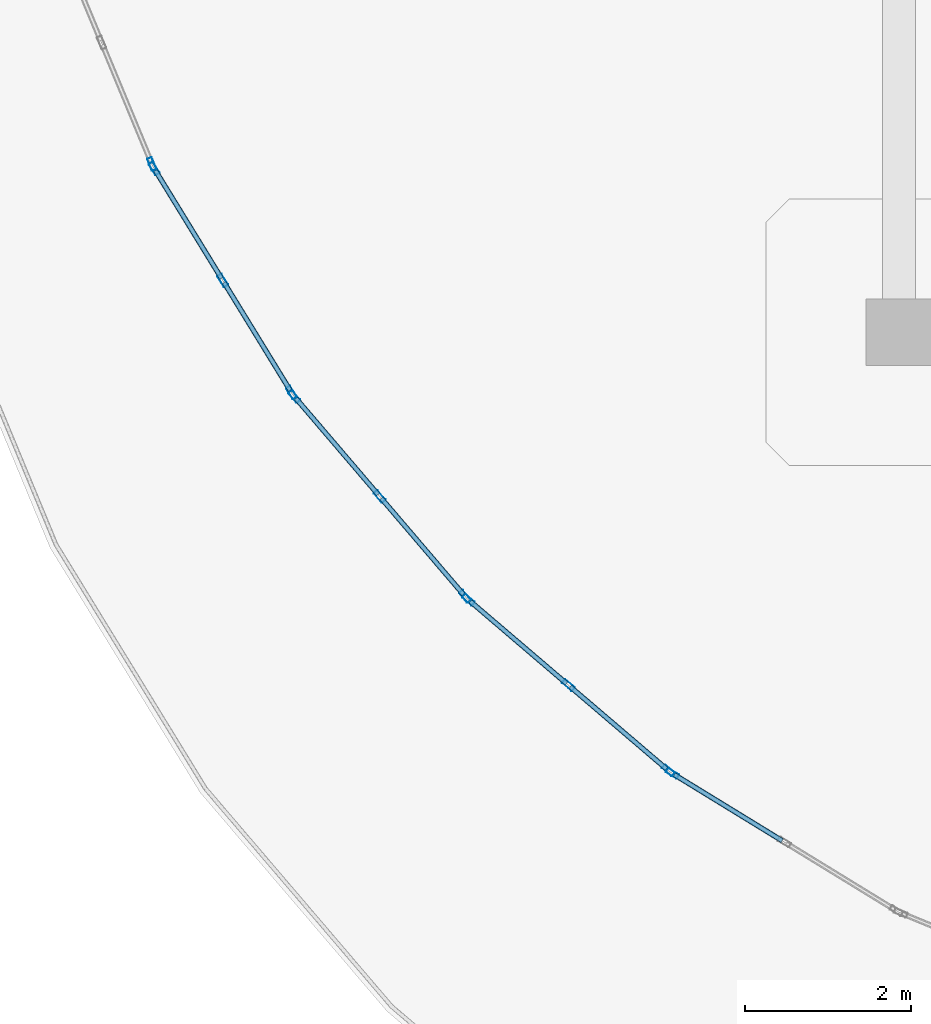
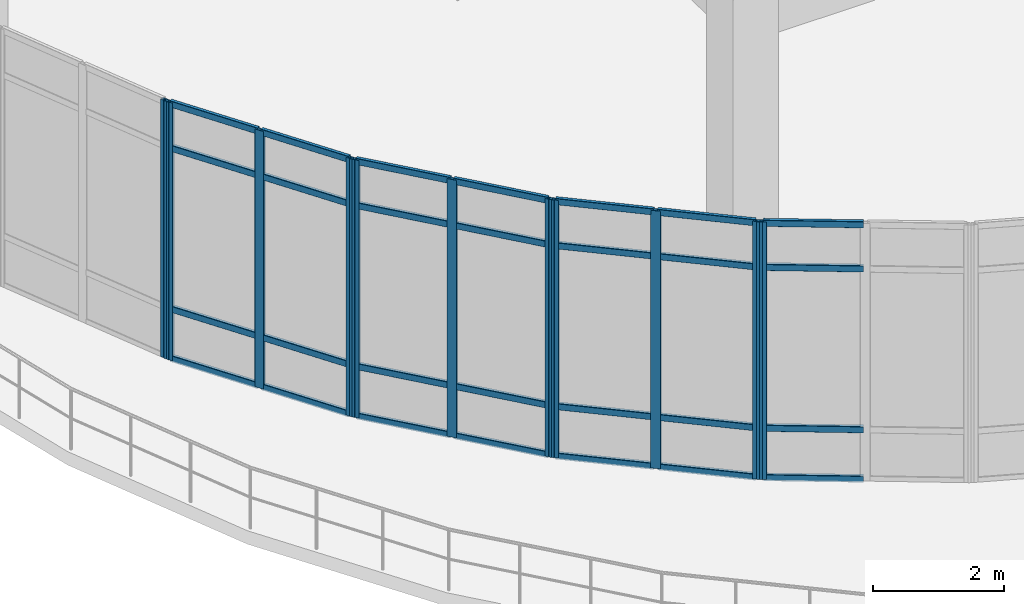
# One storey, part 6 of 96: 39 members, 5 elements without a shape of their own.
"""IFC4 building model written with IfcOpenShell, lengths in metres."""

from ifc_helpers import new_model, si_unit, derived_unit, direction, frame, origin, origin_2d, place, context, subcontext, project, spatial, hollow_rectangle, extrude, material, layer, layer_set, material_profile, profile_set, type_object, element, aggregate, save


model = new_model("IFC4")

# Units and contexts
model_context = context("Model", 3, precision=1e-05, world=origin(), true_north=direction((0.0, 1.0)))
body_context = subcontext(model_context, "Body", "Model", "MODEL_VIEW")
ifc_project = project(units=[si_unit("LENGTHUNIT", "METRE"), si_unit("AREAUNIT", "SQUARE_METRE"), si_unit("VOLUMEUNIT", "CUBIC_METRE"), si_unit("PLANEANGLEUNIT", "RADIAN"), si_unit("MASSUNIT", "GRAM", prefix="KILO"), derived_unit("THERMALTRANSMITTANCEUNIT", [(si_unit("MASSUNIT", "GRAM", prefix="KILO"), 1), (si_unit("TIMEUNIT", "SECOND"), -3), (si_unit("THERMODYNAMICTEMPERATUREUNIT", "KELVIN"), -1)])], contexts=[model_context])

# Site, building, storey
site_placement = place(None, origin())
site = spatial("IfcSite", under=ifc_project, at=site_placement, CompositionType="ELEMENT")
building_placement = place(site_placement, origin())
building = spatial("IfcBuilding", under=site, at=building_placement, Name="Qinzheling Arcade Emporium", CompositionType="ELEMENT")
storey_placement = place(building_placement, frame((0.0, 0.0, 21.60009765625)))
storey = spatial("IfcBuildingStorey", under=building, at=storey_placement, Name="L05", CompositionType="ELEMENT", Elevation=21.60009765625)

# Curtain wall, member
ifc_material_1 = material(Name="Anodised aluminium and solar-control double glazing", Category="aluminium")
ifc_layer = layer(ifc_material_1, 0.159912109375, Name="Anodised aluminium and solar-control double glazing", Category="aluminium")
ifc_layer_set = layer_set([ifc_layer], Name="Anodised aluminium and solar-control double glazing")
curtain_wall_type = type_object("IfcCurtainWallType", Name="Curved Ribbon Sales Curtain Wall", PredefinedType="NOTDEFINED", material=ifc_layer_set)
curtain_wall_1_placement = place(storey_placement, origin())
curtain_wall_1 = element("IfcCurtainWall", 1, at=curtain_wall_1_placement, inside=storey, type_object=curtain_wall_type, Name="Curtain Wall CW-L05-305", PredefinedType="NOTDEFINED")
ifc_material_2 = material(Name="Anodised aluminium 6063-T6", Category="aluminium")
ifc_material_profile_1 = material_profile(ifc_material_2, hollow_rectangle(XDim=0.06005859375, YDim=0.159912109375, WallThickness=0.00390625, InnerFilletRadius=0.00390625, OuterFilletRadius=0.008056640625, at=origin_2d()), Name="RHS 160x60x4", Category="aluminium")
ifc_profile_set_1 = profile_set([ifc_material_profile_1], Name="Anodised aluminium 6063-T6")
member_type_1 = type_object("IfcMemberType", Name="Curtain Wall Mullion RHS160x60", PredefinedType="MULLION", material=ifc_profile_set_1)
member_1_placement = place(storey_placement, frame((14.675537109375, 11.499267578125, 0.0), z_axis=(0.0, 0.0, 1.0), x_axis=(-0.522518323638, -0.852628055756, 0.0)))
member_1 = element("IfcMember", 2, at=member_1_placement, type_object=member_type_1, Name="CW02 mullion 3", PredefinedType="MULLION", context=body_context, shape_type="SweptSolid", body=[
    extrude(hollow_rectangle(XDim=0.06005859375, YDim=0.159912109375, WallThickness=0.00390625, InnerFilletRadius=0.00390625, OuterFilletRadius=0.008056640625, at=origin_2d()), origin(), (0.0, 0.0, 1.0), 4.789794921875),
])

# Curtain wall, members
curtain_wall_2_placement = place(storey_placement, origin())
curtain_wall_2 = element("IfcCurtainWall", 3, at=curtain_wall_2_placement, inside=storey, type_object=curtain_wall_type, Name="Curtain Wall CW-L05-306", PredefinedType="NOTDEFINED")
member_2_placement = place(storey_placement, frame((14.627197265625, 11.534423828125, 0.0), z_axis=(0.0, 0.0, 1.0), x_axis=(-0.64943342373, -0.760418455945, 0.0)))
member_2 = element("IfcMember", 4, at=member_2_placement, type_object=member_type_1, Name="CW02 mullion 1", PredefinedType="MULLION", context=body_context, shape_type="SweptSolid", body=[
    extrude(hollow_rectangle(XDim=0.06005859375, YDim=0.159912109375, WallThickness=0.00390625, InnerFilletRadius=0.00390625, OuterFilletRadius=0.008056640625, at=origin_2d()), origin(), (0.0, 0.0, 1.0), 4.789794921875),
])
member_3_placement = place(storey_placement, frame((13.427001953125, 12.5595703125, 0.0), z_axis=(0.0, 0.0, 1.0), x_axis=(-0.64943342373, -0.760418455945, 0.0)))
member_3 = element("IfcMember", 5, at=member_3_placement, type_object=member_type_1, Name="CW02 mullion 2", PredefinedType="MULLION", context=body_context, shape_type="SweptSolid", body=[
    extrude(hollow_rectangle(XDim=0.06005859375, YDim=0.159912109375, WallThickness=0.00390625, InnerFilletRadius=0.00390625, OuterFilletRadius=0.008056640625, at=origin_2d()), origin(), (0.0, 0.0, 1.0), 4.789794921875),
])
member_4_placement = place(storey_placement, frame((12.226806640625, 13.58447265625, 0.0), z_axis=(0.0, 0.0, 1.0), x_axis=(-0.64943342373, -0.760418455945, 0.0)))
member_4 = element("IfcMember", 6, at=member_4_placement, type_object=member_type_1, Name="CW02 mullion 3", PredefinedType="MULLION", context=body_context, shape_type="SweptSolid", body=[
    extrude(hollow_rectangle(XDim=0.06005859375, YDim=0.159912109375, WallThickness=0.00390625, InnerFilletRadius=0.00390625, OuterFilletRadius=0.008056640625, at=origin_2d()), origin(), (0.0, 0.0, 1.0), 4.789794921875),
])

curtain_wall_3_placement = place(storey_placement, origin())
curtain_wall_3 = element("IfcCurtainWall", 7, at=curtain_wall_3_placement, inside=storey, type_object=curtain_wall_type, Name="Curtain Wall CW-L05-307", PredefinedType="NOTDEFINED")
member_5_placement = place(storey_placement, frame((12.1845703125, 13.626708984375, 0.0), z_axis=(0.0, 0.0, 1.0), x_axis=(-0.760418455945, -0.64943342373, 0.0)))
member_5 = element("IfcMember", 8, at=member_5_placement, type_object=member_type_1, Name="CW02 mullion 1", PredefinedType="MULLION", context=body_context, shape_type="SweptSolid", body=[
    extrude(hollow_rectangle(XDim=0.06005859375, YDim=0.159912109375, WallThickness=0.00390625, InnerFilletRadius=0.00390625, OuterFilletRadius=0.008056640625, at=origin_2d()), origin(), (0.0, 0.0, 1.0), 4.789794921875),
])
member_6_placement = place(storey_placement, frame((11.159423828125, 14.826904296875, 0.0), z_axis=(0.0, 0.0, 1.0), x_axis=(-0.760418455945, -0.64943342373, 0.0)))
member_6 = element("IfcMember", 9, at=member_6_placement, type_object=member_type_1, Name="CW02 mullion 2", PredefinedType="MULLION", context=body_context, shape_type="SweptSolid", body=[
    extrude(hollow_rectangle(XDim=0.06005859375, YDim=0.159912109375, WallThickness=0.00390625, InnerFilletRadius=0.00390625, OuterFilletRadius=0.008056640625, at=origin_2d()), origin(), (0.0, 0.0, 1.0), 4.789794921875),
])
member_7_placement = place(storey_placement, frame((10.134521484375, 16.027099609375, 0.0), z_axis=(0.0, 0.0, 1.0), x_axis=(-0.760418455945, -0.64943342373, 0.0)))
member_7 = element("IfcMember", 10, at=member_7_placement, type_object=member_type_1, Name="CW02 mullion 3", PredefinedType="MULLION", context=body_context, shape_type="SweptSolid", body=[
    extrude(hollow_rectangle(XDim=0.06005859375, YDim=0.159912109375, WallThickness=0.00390625, InnerFilletRadius=0.00390625, OuterFilletRadius=0.008056640625, at=origin_2d()), origin(), (0.0, 0.0, 1.0), 4.789794921875),
])

curtain_wall_4_placement = place(storey_placement, origin())
curtain_wall_4 = element("IfcCurtainWall", 11, at=curtain_wall_4_placement, inside=storey, type_object=curtain_wall_type, Name="Curtain Wall CW-L05-308", PredefinedType="NOTDEFINED")
member_8_placement = place(storey_placement, frame((10.099365234375, 16.07568359375, 0.0), z_axis=(0.0, 0.0, 1.0), x_axis=(-0.852628055756, -0.522518323638, 0.0)))
member_8 = element("IfcMember", 12, at=member_8_placement, type_object=member_type_1, Name="CW02 mullion 1", PredefinedType="MULLION", context=body_context, shape_type="SweptSolid", body=[
    extrude(hollow_rectangle(XDim=0.06005859375, YDim=0.159912109375, WallThickness=0.00390625, InnerFilletRadius=0.00390625, OuterFilletRadius=0.008056640625, at=origin_2d()), origin(), (0.0, 0.0, 1.0), 4.789794921875),
])
member_9_placement = place(storey_placement, frame((9.2744140625, 17.42138671875, 0.0), z_axis=(0.0, 0.0, 1.0), x_axis=(-0.852628055756, -0.522518323638, 0.0)))
member_9 = element("IfcMember", 13, at=member_9_placement, type_object=member_type_1, Name="CW02 mullion 2", PredefinedType="MULLION", context=body_context, shape_type="SweptSolid", body=[
    extrude(hollow_rectangle(XDim=0.06005859375, YDim=0.159912109375, WallThickness=0.00390625, InnerFilletRadius=0.00390625, OuterFilletRadius=0.008056640625, at=origin_2d()), origin(), (0.0, 0.0, 1.0), 4.789794921875),
])
member_10_placement = place(storey_placement, frame((8.44970703125, 18.767333984375, 0.0), z_axis=(0.0, 0.0, 1.0), x_axis=(-0.852628055756, -0.522518323638, 0.0)))
member_10 = element("IfcMember", 14, at=member_10_placement, type_object=member_type_1, Name="CW02 mullion 3", PredefinedType="MULLION", context=body_context, shape_type="SweptSolid", body=[
    extrude(hollow_rectangle(XDim=0.06005859375, YDim=0.159912109375, WallThickness=0.00390625, InnerFilletRadius=0.00390625, OuterFilletRadius=0.008056640625, at=origin_2d()), origin(), (0.0, 0.0, 1.0), 4.789794921875),
])

# Curtain wall, member
curtain_wall_5_placement = place(storey_placement, origin())
curtain_wall_5 = element("IfcCurtainWall", 15, at=curtain_wall_5_placement, inside=storey, type_object=curtain_wall_type, Name="Curtain Wall CW-L05-309", PredefinedType="NOTDEFINED")
member_11_placement = place(storey_placement, frame((8.422607421875, 18.82080078125, 0.0), z_axis=(0.0, 0.0, 1.0), x_axis=(-0.923884226263, -0.38267210045, 0.0)))
member_11 = element("IfcMember", 16, at=member_11_placement, type_object=member_type_1, Name="CW02 mullion 1", PredefinedType="MULLION", context=body_context, shape_type="SweptSolid", body=[
    extrude(hollow_rectangle(XDim=0.06005859375, YDim=0.159912109375, WallThickness=0.00390625, InnerFilletRadius=0.00390625, OuterFilletRadius=0.008056640625, at=origin_2d()), origin(), (0.0, 0.0, 1.0), 4.789794921875),
])
aggregate(curtain_wall_5, [member_11])

# Member
ifc_material_profile_2 = material_profile(ifc_material_2, hollow_rectangle(XDim=0.06005859375, YDim=0.1201171875, WallThickness=0.00390625, InnerFilletRadius=0.00390625, OuterFilletRadius=0.008056640625, at=origin_2d()), Name="RHS 120x60x4", Category="aluminium")
ifc_profile_set_2 = profile_set([ifc_material_profile_2], Name="Anodised aluminium 6063-T6")
member_type_2 = type_object("IfcMemberType", Name="Curtain Wall Transom RHS120x60", PredefinedType="USERDEFINED", material=ifc_profile_set_2)
member_12_placement = place(storey_placement, frame((15.995849609375, 10.690185546875, 0.02978515625), z_axis=(-0.852617427318, 0.522535666374, 0.0), x_axis=(-0.522535666374, -0.852617427318, 0.0)))
member_12 = element("IfcMember", 17, at=member_12_placement, type_object=member_type_2, Name="CW02 transom 2.1", ObjectType="TRANSOM", PredefinedType="USERDEFINED", context=body_context, shape_type="SweptSolid", body=[
    extrude(hollow_rectangle(XDim=0.06005859375, YDim=0.1201171875, WallThickness=0.00390625, InnerFilletRadius=0.00390625, OuterFilletRadius=0.008056640625, at=origin_2d()), origin(), (0.0, 0.0, 1.0), 1.5185546875),
])

member_13_placement = place(storey_placement, frame((15.995849609375, 10.690185546875, 0.949951171875), z_axis=(-0.852617427318, 0.522535666374, 0.0), x_axis=(-0.522535666374, -0.852617427318, 0.0)))
member_13 = element("IfcMember", 18, at=member_13_placement, type_object=member_type_2, Name="CW02 transom 2.2", ObjectType="TRANSOM", PredefinedType="USERDEFINED", context=body_context, shape_type="SweptSolid", body=[
    extrude(hollow_rectangle(XDim=0.06005859375, YDim=0.1201171875, WallThickness=0.00390625, InnerFilletRadius=0.00390625, OuterFilletRadius=0.008056640625, at=origin_2d()), origin(), (0.0, 0.0, 1.0), 1.5185546875),
])

member_14_placement = place(storey_placement, frame((15.995849609375, 10.690185546875, 3.93994140625), z_axis=(-0.852617427318, 0.522535666374, 0.0), x_axis=(-0.522535666374, -0.852617427318, 0.0)))
member_14 = element("IfcMember", 19, at=member_14_placement, type_object=member_type_2, Name="CW02 transom 2.3", ObjectType="TRANSOM", PredefinedType="USERDEFINED", context=body_context, shape_type="SweptSolid", body=[
    extrude(hollow_rectangle(XDim=0.06005859375, YDim=0.1201171875, WallThickness=0.00390625, InnerFilletRadius=0.00390625, OuterFilletRadius=0.008056640625, at=origin_2d()), origin(), (0.0, 0.0, 1.0), 1.5185546875),
])

member_15_placement = place(storey_placement, frame((15.995849609375, 10.690185546875, 4.760009765625), z_axis=(-0.852617427318, 0.522535666374, 0.0), x_axis=(-0.522535666374, -0.852617427318, 0.0)))
member_15 = element("IfcMember", 20, at=member_15_placement, type_object=member_type_2, Name="CW02 transom 2.4", ObjectType="TRANSOM", PredefinedType="USERDEFINED", context=body_context, shape_type="SweptSolid", body=[
    extrude(hollow_rectangle(XDim=0.06005859375, YDim=0.1201171875, WallThickness=0.00390625, InnerFilletRadius=0.00390625, OuterFilletRadius=0.008056640625, at=origin_2d()), origin(), (0.0, 0.0, 1.0), 1.5185546875),
])

aggregate(curtain_wall_1, [member_1, member_12, member_13, member_14, member_15])

member_16_placement = place(storey_placement, frame((14.6044921875, 11.553955078125, 0.02978515625), z_axis=(-0.760469610899, 0.649373521865, 0.0), x_axis=(-0.649373521865, -0.760469610899, 0.0)))
member_16 = element("IfcMember", 21, at=member_16_placement, type_object=member_type_2, Name="CW02 transom 1.1", ObjectType="TRANSOM", PredefinedType="USERDEFINED", context=body_context, shape_type="SweptSolid", body=[
    extrude(hollow_rectangle(XDim=0.06005859375, YDim=0.1201171875, WallThickness=0.00390625, InnerFilletRadius=0.00390625, OuterFilletRadius=0.008056640625, at=origin_2d()), origin(), (0.0, 0.0, 1.0), 1.5185546875),
])

member_17_placement = place(storey_placement, frame((14.6044921875, 11.553955078125, 0.949951171875), z_axis=(-0.760469610899, 0.649373521865, 0.0), x_axis=(-0.649373521865, -0.760469610899, 0.0)))
member_17 = element("IfcMember", 22, at=member_17_placement, type_object=member_type_2, Name="CW02 transom 1.2", ObjectType="TRANSOM", PredefinedType="USERDEFINED", context=body_context, shape_type="SweptSolid", body=[
    extrude(hollow_rectangle(XDim=0.06005859375, YDim=0.1201171875, WallThickness=0.00390625, InnerFilletRadius=0.00390625, OuterFilletRadius=0.008056640625, at=origin_2d()), origin(), (0.0, 0.0, 1.0), 1.5185546875),
])

member_18_placement = place(storey_placement, frame((14.6044921875, 11.553955078125, 3.93994140625), z_axis=(-0.760469610899, 0.649373521865, 0.0), x_axis=(-0.649373521865, -0.760469610899, 0.0)))
member_18 = element("IfcMember", 23, at=member_18_placement, type_object=member_type_2, Name="CW02 transom 1.3", ObjectType="TRANSOM", PredefinedType="USERDEFINED", context=body_context, shape_type="SweptSolid", body=[
    extrude(hollow_rectangle(XDim=0.06005859375, YDim=0.1201171875, WallThickness=0.00390625, InnerFilletRadius=0.00390625, OuterFilletRadius=0.008056640625, at=origin_2d()), origin(), (0.0, 0.0, 1.0), 1.5185546875),
])

member_19_placement = place(storey_placement, frame((14.6044921875, 11.553955078125, 4.760009765625), z_axis=(-0.760469610899, 0.649373521865, 0.0), x_axis=(-0.649373521865, -0.760469610899, 0.0)))
member_19 = element("IfcMember", 24, at=member_19_placement, type_object=member_type_2, Name="CW02 transom 1.4", ObjectType="TRANSOM", PredefinedType="USERDEFINED", context=body_context, shape_type="SweptSolid", body=[
    extrude(hollow_rectangle(XDim=0.06005859375, YDim=0.1201171875, WallThickness=0.00390625, InnerFilletRadius=0.00390625, OuterFilletRadius=0.008056640625, at=origin_2d()), origin(), (0.0, 0.0, 1.0), 1.5185546875),
])

member_20_placement = place(storey_placement, frame((13.404296875, 12.5791015625, 0.02978515625), z_axis=(-0.760549009236, 0.649280528392, 0.0), x_axis=(-0.649280528392, -0.760549009236, 0.0)))
member_20 = element("IfcMember", 25, at=member_20_placement, type_object=member_type_2, Name="CW02 transom 2.1", ObjectType="TRANSOM", PredefinedType="USERDEFINED", context=body_context, shape_type="SweptSolid", body=[
    extrude(hollow_rectangle(XDim=0.06005859375, YDim=0.1201171875, WallThickness=0.00390625, InnerFilletRadius=0.00390625, OuterFilletRadius=0.008056640625, at=origin_2d()), origin(), (0.0, 0.0, 1.0), 1.518310546875),
])

member_21_placement = place(storey_placement, frame((13.404296875, 12.5791015625, 0.949951171875), z_axis=(-0.760549009236, 0.649280528392, 0.0), x_axis=(-0.649280528392, -0.760549009236, 0.0)))
member_21 = element("IfcMember", 26, at=member_21_placement, type_object=member_type_2, Name="CW02 transom 2.2", ObjectType="TRANSOM", PredefinedType="USERDEFINED", context=body_context, shape_type="SweptSolid", body=[
    extrude(hollow_rectangle(XDim=0.06005859375, YDim=0.1201171875, WallThickness=0.00390625, InnerFilletRadius=0.00390625, OuterFilletRadius=0.008056640625, at=origin_2d()), origin(), (0.0, 0.0, 1.0), 1.518310546875),
])

member_22_placement = place(storey_placement, frame((13.404296875, 12.5791015625, 3.93994140625), z_axis=(-0.760549009236, 0.649280528392, 0.0), x_axis=(-0.649280528392, -0.760549009236, 0.0)))
member_22 = element("IfcMember", 27, at=member_22_placement, type_object=member_type_2, Name="CW02 transom 2.3", ObjectType="TRANSOM", PredefinedType="USERDEFINED", context=body_context, shape_type="SweptSolid", body=[
    extrude(hollow_rectangle(XDim=0.06005859375, YDim=0.1201171875, WallThickness=0.00390625, InnerFilletRadius=0.00390625, OuterFilletRadius=0.008056640625, at=origin_2d()), origin(), (0.0, 0.0, 1.0), 1.518310546875),
])

member_23_placement = place(storey_placement, frame((13.404296875, 12.5791015625, 4.760009765625), z_axis=(-0.760549009236, 0.649280528392, 0.0), x_axis=(-0.649280528392, -0.760549009236, 0.0)))
member_23 = element("IfcMember", 28, at=member_23_placement, type_object=member_type_2, Name="CW02 transom 2.4", ObjectType="TRANSOM", PredefinedType="USERDEFINED", context=body_context, shape_type="SweptSolid", body=[
    extrude(hollow_rectangle(XDim=0.06005859375, YDim=0.1201171875, WallThickness=0.00390625, InnerFilletRadius=0.00390625, OuterFilletRadius=0.008056640625, at=origin_2d()), origin(), (0.0, 0.0, 1.0), 1.518310546875),
])

aggregate(curtain_wall_2, [member_2, member_3, member_4, member_16, member_17, member_18, member_19, member_20, member_21, member_22, member_23])

member_24_placement = place(storey_placement, frame((12.1650390625, 13.649658203125, 0.02978515625), z_axis=(-0.649452923766, 0.760401801557, 0.0), x_axis=(-0.760401801557, -0.649452923766, 0.0)))
member_24 = element("IfcMember", 29, at=member_24_placement, type_object=member_type_2, Name="CW02 transom 1.1", ObjectType="TRANSOM", PredefinedType="USERDEFINED", context=body_context, shape_type="SweptSolid", body=[
    extrude(hollow_rectangle(XDim=0.06005859375, YDim=0.1201171875, WallThickness=0.00390625, InnerFilletRadius=0.00390625, OuterFilletRadius=0.008056640625, at=origin_2d()), origin(), (0.0, 0.0, 1.0), 1.518310546875),
])

member_25_placement = place(storey_placement, frame((12.1650390625, 13.649658203125, 0.949951171875), z_axis=(-0.649452923766, 0.760401801557, 0.0), x_axis=(-0.760401801557, -0.649452923766, 0.0)))
member_25 = element("IfcMember", 30, at=member_25_placement, type_object=member_type_2, Name="CW02 transom 1.2", ObjectType="TRANSOM", PredefinedType="USERDEFINED", context=body_context, shape_type="SweptSolid", body=[
    extrude(hollow_rectangle(XDim=0.06005859375, YDim=0.1201171875, WallThickness=0.00390625, InnerFilletRadius=0.00390625, OuterFilletRadius=0.008056640625, at=origin_2d()), origin(), (0.0, 0.0, 1.0), 1.518310546875),
])

member_26_placement = place(storey_placement, frame((12.1650390625, 13.649658203125, 3.93994140625), z_axis=(-0.649452923766, 0.760401801557, 0.0), x_axis=(-0.760401801557, -0.649452923766, 0.0)))
member_26 = element("IfcMember", 31, at=member_26_placement, type_object=member_type_2, Name="CW02 transom 1.3", ObjectType="TRANSOM", PredefinedType="USERDEFINED", context=body_context, shape_type="SweptSolid", body=[
    extrude(hollow_rectangle(XDim=0.06005859375, YDim=0.1201171875, WallThickness=0.00390625, InnerFilletRadius=0.00390625, OuterFilletRadius=0.008056640625, at=origin_2d()), origin(), (0.0, 0.0, 1.0), 1.518310546875),
])

member_27_placement = place(storey_placement, frame((12.1650390625, 13.649658203125, 4.760009765625), z_axis=(-0.649452923766, 0.760401801557, 0.0), x_axis=(-0.760401801557, -0.649452923766, 0.0)))
member_27 = element("IfcMember", 32, at=member_27_placement, type_object=member_type_2, Name="CW02 transom 1.4", ObjectType="TRANSOM", PredefinedType="USERDEFINED", context=body_context, shape_type="SweptSolid", body=[
    extrude(hollow_rectangle(XDim=0.06005859375, YDim=0.1201171875, WallThickness=0.00390625, InnerFilletRadius=0.00390625, OuterFilletRadius=0.008056640625, at=origin_2d()), origin(), (0.0, 0.0, 1.0), 1.518310546875),
])

member_28_placement = place(storey_placement, frame((11.14013671875, 14.849853515625, 0.02978515625), z_axis=(-0.649452923766, 0.760401801557, 0.0), x_axis=(-0.760401801557, -0.649452923766, 0.0)))
member_28 = element("IfcMember", 33, at=member_28_placement, type_object=member_type_2, Name="CW02 transom 2.1", ObjectType="TRANSOM", PredefinedType="USERDEFINED", context=body_context, shape_type="SweptSolid", body=[
    extrude(hollow_rectangle(XDim=0.06005859375, YDim=0.1201171875, WallThickness=0.00390625, InnerFilletRadius=0.00390625, OuterFilletRadius=0.008056640625, at=origin_2d()), origin(), (0.0, 0.0, 1.0), 1.518310546875),
])

member_29_placement = place(storey_placement, frame((11.14013671875, 14.849853515625, 0.949951171875), z_axis=(-0.649452923766, 0.760401801557, 0.0), x_axis=(-0.760401801557, -0.649452923766, 0.0)))
member_29 = element("IfcMember", 34, at=member_29_placement, type_object=member_type_2, Name="CW02 transom 2.2", ObjectType="TRANSOM", PredefinedType="USERDEFINED", context=body_context, shape_type="SweptSolid", body=[
    extrude(hollow_rectangle(XDim=0.06005859375, YDim=0.1201171875, WallThickness=0.00390625, InnerFilletRadius=0.00390625, OuterFilletRadius=0.008056640625, at=origin_2d()), origin(), (0.0, 0.0, 1.0), 1.518310546875),
])

member_30_placement = place(storey_placement, frame((11.14013671875, 14.849853515625, 3.93994140625), z_axis=(-0.649452923766, 0.760401801557, 0.0), x_axis=(-0.760401801557, -0.649452923766, 0.0)))
member_30 = element("IfcMember", 35, at=member_30_placement, type_object=member_type_2, Name="CW02 transom 2.3", ObjectType="TRANSOM", PredefinedType="USERDEFINED", context=body_context, shape_type="SweptSolid", body=[
    extrude(hollow_rectangle(XDim=0.06005859375, YDim=0.1201171875, WallThickness=0.00390625, InnerFilletRadius=0.00390625, OuterFilletRadius=0.008056640625, at=origin_2d()), origin(), (0.0, 0.0, 1.0), 1.518310546875),
])

member_31_placement = place(storey_placement, frame((11.14013671875, 14.849853515625, 4.760009765625), z_axis=(-0.649452923766, 0.760401801557, 0.0), x_axis=(-0.760401801557, -0.649452923766, 0.0)))
member_31 = element("IfcMember", 36, at=member_31_placement, type_object=member_type_2, Name="CW02 transom 2.4", ObjectType="TRANSOM", PredefinedType="USERDEFINED", context=body_context, shape_type="SweptSolid", body=[
    extrude(hollow_rectangle(XDim=0.06005859375, YDim=0.1201171875, WallThickness=0.00390625, InnerFilletRadius=0.00390625, OuterFilletRadius=0.008056640625, at=origin_2d()), origin(), (0.0, 0.0, 1.0), 1.518310546875),
])

aggregate(curtain_wall_3, [member_5, member_6, member_7, member_24, member_25, member_26, member_27, member_28, member_29, member_30, member_31])

member_32_placement = place(storey_placement, frame((10.083740234375, 16.10107421875, 0.02978515625), z_axis=(-0.522464043068, 0.852661318286, 0.0), x_axis=(-0.852661318286, -0.522464043068, 0.0)))
member_32 = element("IfcMember", 37, at=member_32_placement, type_object=member_type_2, Name="CW02 transom 1.1", ObjectType="TRANSOM", PredefinedType="USERDEFINED", context=body_context, shape_type="SweptSolid", body=[
    extrude(hollow_rectangle(XDim=0.06005859375, YDim=0.1201171875, WallThickness=0.00390625, InnerFilletRadius=0.00390625, OuterFilletRadius=0.008056640625, at=origin_2d()), origin(), (0.0, 0.0, 1.0), 1.518798828125),
])

member_33_placement = place(storey_placement, frame((10.083740234375, 16.10107421875, 0.949951171875), z_axis=(-0.522464043068, 0.852661318286, 0.0), x_axis=(-0.852661318286, -0.522464043068, 0.0)))
member_33 = element("IfcMember", 38, at=member_33_placement, type_object=member_type_2, Name="CW02 transom 1.2", ObjectType="TRANSOM", PredefinedType="USERDEFINED", context=body_context, shape_type="SweptSolid", body=[
    extrude(hollow_rectangle(XDim=0.06005859375, YDim=0.1201171875, WallThickness=0.00390625, InnerFilletRadius=0.00390625, OuterFilletRadius=0.008056640625, at=origin_2d()), origin(), (0.0, 0.0, 1.0), 1.518798828125),
])

member_34_placement = place(storey_placement, frame((10.083740234375, 16.10107421875, 3.93994140625), z_axis=(-0.522464043068, 0.852661318286, 0.0), x_axis=(-0.852661318286, -0.522464043068, 0.0)))
member_34 = element("IfcMember", 39, at=member_34_placement, type_object=member_type_2, Name="CW02 transom 1.3", ObjectType="TRANSOM", PredefinedType="USERDEFINED", context=body_context, shape_type="SweptSolid", body=[
    extrude(hollow_rectangle(XDim=0.06005859375, YDim=0.1201171875, WallThickness=0.00390625, InnerFilletRadius=0.00390625, OuterFilletRadius=0.008056640625, at=origin_2d()), origin(), (0.0, 0.0, 1.0), 1.518798828125),
])

member_35_placement = place(storey_placement, frame((10.083740234375, 16.10107421875, 4.760009765625), z_axis=(-0.522464043068, 0.852661318286, 0.0), x_axis=(-0.852661318286, -0.522464043068, 0.0)))
member_35 = element("IfcMember", 40, at=member_35_placement, type_object=member_type_2, Name="CW02 transom 1.4", ObjectType="TRANSOM", PredefinedType="USERDEFINED", context=body_context, shape_type="SweptSolid", body=[
    extrude(hollow_rectangle(XDim=0.06005859375, YDim=0.1201171875, WallThickness=0.00390625, InnerFilletRadius=0.00390625, OuterFilletRadius=0.008056640625, at=origin_2d()), origin(), (0.0, 0.0, 1.0), 1.518798828125),
])

member_36_placement = place(storey_placement, frame((9.2587890625, 17.447021484375, 0.02978515625), z_axis=(-0.522464043068, 0.852661318286, 0.0), x_axis=(-0.852661318286, -0.522464043068, 0.0)))
member_36 = element("IfcMember", 41, at=member_36_placement, type_object=member_type_2, Name="CW02 transom 2.1", ObjectType="TRANSOM", PredefinedType="USERDEFINED", context=body_context, shape_type="SweptSolid", body=[
    extrude(hollow_rectangle(XDim=0.06005859375, YDim=0.1201171875, WallThickness=0.00390625, InnerFilletRadius=0.00390625, OuterFilletRadius=0.008056640625, at=origin_2d()), origin(), (0.0, 0.0, 1.0), 1.518798828125),
])

member_37_placement = place(storey_placement, frame((9.2587890625, 17.447021484375, 0.949951171875), z_axis=(-0.522464043068, 0.852661318286, 0.0), x_axis=(-0.852661318286, -0.522464043068, 0.0)))
member_37 = element("IfcMember", 42, at=member_37_placement, type_object=member_type_2, Name="CW02 transom 2.2", ObjectType="TRANSOM", PredefinedType="USERDEFINED", context=body_context, shape_type="SweptSolid", body=[
    extrude(hollow_rectangle(XDim=0.06005859375, YDim=0.1201171875, WallThickness=0.00390625, InnerFilletRadius=0.00390625, OuterFilletRadius=0.008056640625, at=origin_2d()), origin(), (0.0, 0.0, 1.0), 1.518798828125),
])

member_38_placement = place(storey_placement, frame((9.2587890625, 17.447021484375, 3.93994140625), z_axis=(-0.522464043068, 0.852661318286, 0.0), x_axis=(-0.852661318286, -0.522464043068, 0.0)))
member_38 = element("IfcMember", 43, at=member_38_placement, type_object=member_type_2, Name="CW02 transom 2.3", ObjectType="TRANSOM", PredefinedType="USERDEFINED", context=body_context, shape_type="SweptSolid", body=[
    extrude(hollow_rectangle(XDim=0.06005859375, YDim=0.1201171875, WallThickness=0.00390625, InnerFilletRadius=0.00390625, OuterFilletRadius=0.008056640625, at=origin_2d()), origin(), (0.0, 0.0, 1.0), 1.518798828125),
])

member_39_placement = place(storey_placement, frame((9.2587890625, 17.447021484375, 4.760009765625), z_axis=(-0.522464043068, 0.852661318286, 0.0), x_axis=(-0.852661318286, -0.522464043068, 0.0)))
member_39 = element("IfcMember", 44, at=member_39_placement, type_object=member_type_2, Name="CW02 transom 2.4", ObjectType="TRANSOM", PredefinedType="USERDEFINED", context=body_context, shape_type="SweptSolid", body=[
    extrude(hollow_rectangle(XDim=0.06005859375, YDim=0.1201171875, WallThickness=0.00390625, InnerFilletRadius=0.00390625, OuterFilletRadius=0.008056640625, at=origin_2d()), origin(), (0.0, 0.0, 1.0), 1.518798828125),
])

aggregate(curtain_wall_4, [member_8, member_9, member_10, member_32, member_33, member_34, member_35, member_36, member_37, member_38, member_39])

save(model, "model.ifc")
